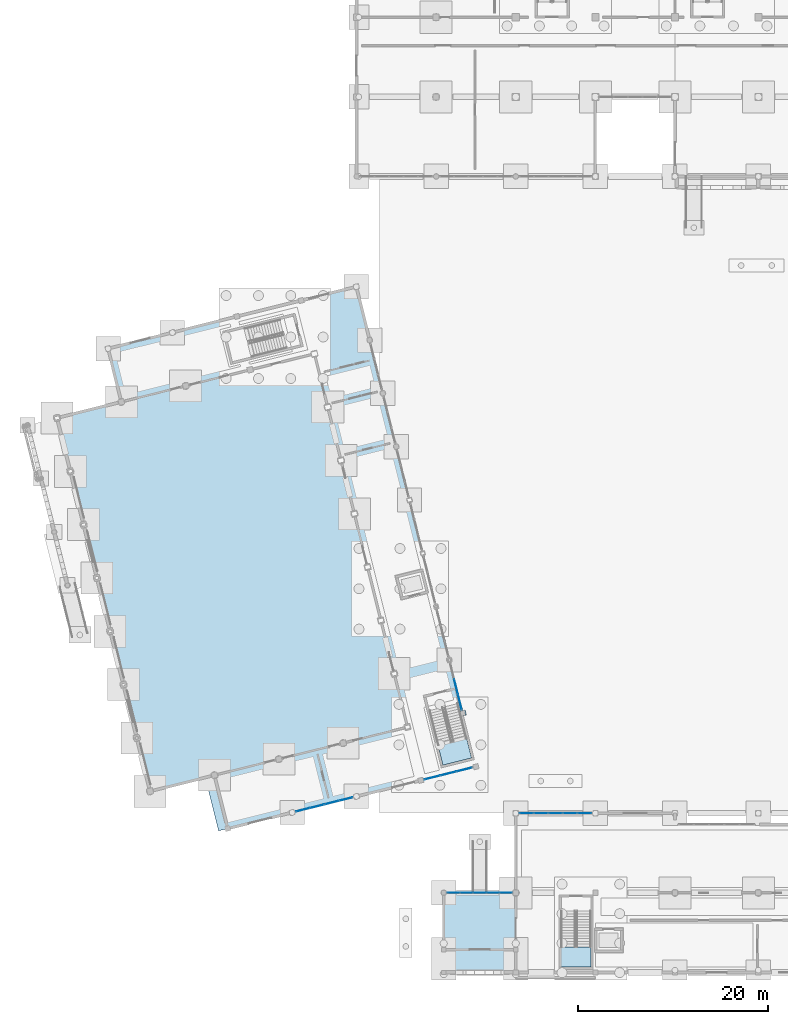
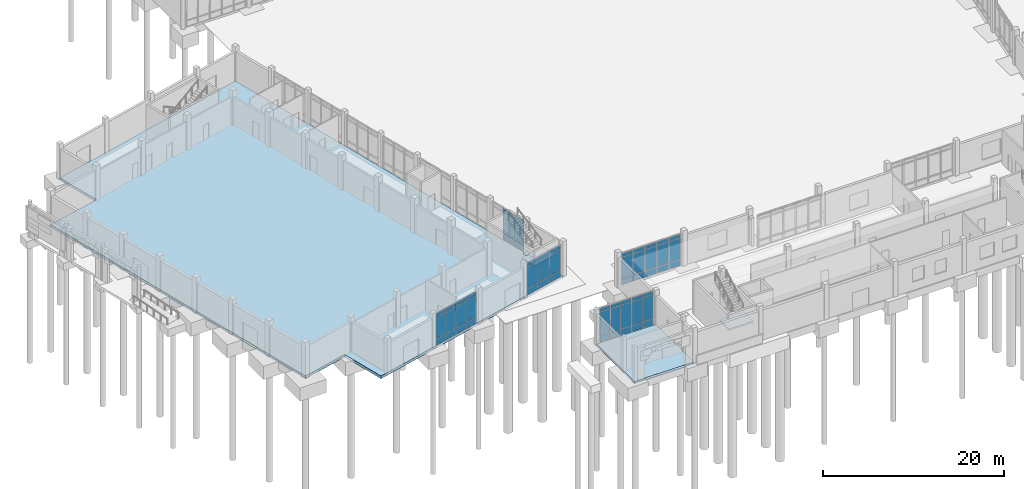
# One storey, part 32 of 72: 58 plates, 4 slabs, 7 elements without a shape of their own.
"""IFC4 building model written with IfcOpenShell, lengths in metres."""

import ifcopenshell
import ifcopenshell.guid

model = None  # the IFC model being written
_history = None  # IfcOwnerHistory: only IFC2X3 demands one
_inside = {}  # id of a spatial element -> (the spatial element, [elements in it])
_under = {}  # id of a project, library or spatial element -> (it, [spatial elements below it])
_declared = {}  # id of a project -> (the project, [libraries it declares])
_typed = {}  # id of a type object -> (the type object, [elements of that type])
_made_of = {}  # id of a material, layer set ... -> (it, [elements and type objects made of it])


def new_model(schema):
    """Start an empty IFC model of exactly this schema.

    Asked for "IFC4X3", IfcOpenShell would pick the latest addendum, in which some entities
    have other attributes; the version numbers below select the first issue.
    IFC2X3 requires an IfcOwnerHistory on every rooted entity: one is made here for all.
    """
    global model, _history
    if schema == "IFC4X3":
        model = ifcopenshell.file(schema_version=(4, 3, 0, 0))
    else:
        model = ifcopenshell.file(schema=schema)
    _inside.clear()
    _under.clear()
    _declared.clear()
    _typed.clear()
    _made_of.clear()
    _history = None
    if model.schema == "IFC2X3":
        org = make("IfcOrganization", Name="unknown")
        user = make(
            "IfcPersonAndOrganization",
            ThePerson=make("IfcPerson", FamilyName="unknown"),
            TheOrganization=org,
        )
        app = make(
            "IfcApplication",
            ApplicationDeveloper=org,
            Version="unknown",
            ApplicationFullName="unknown",
            ApplicationIdentifier="unknown",
        )
        _history = make(
            "IfcOwnerHistory",
            OwningUser=user,
            OwningApplication=app,
            ChangeAction="ADDED",
            CreationDate=0,
        )
    return model


def make(cls, **values):
    """One entity of the class cls with the attributes given. An attribute that is None is left unset."""
    return model.create_entity(
        cls, **{name: value for name, value in values.items() if value is not None}
    )


def rooted(cls, **values):
    """An entity with a GlobalId (a new one), such as an element, a storey or a relation."""
    return make(cls, GlobalId=ifcopenshell.guid.new(), OwnerHistory=_history, **values)


def si_unit(unit_type, name, prefix=None):
    """IfcSIUnit, for example si_unit("LENGTHUNIT", "METRE", prefix="MILLI")."""
    return make("IfcSIUnit", UnitType=unit_type, Prefix=prefix, Name=name)


def assignment(units):
    """IfcUnitAssignment: the units of a project."""
    return None if units is None else make("IfcUnitAssignment", Units=units)


def point(xyz):
    """IfcCartesianPoint."""
    return None if xyz is None else make("IfcCartesianPoint", Coordinates=xyz)


def direction(xyz):
    """IfcDirection."""
    return None if xyz is None else make("IfcDirection", DirectionRatios=xyz)


def frame(location, z_axis=None, x_axis=None):
    """IfcAxis2Placement3D, a coordinate frame: its origin and axes. An axis left out is left unset."""
    return make(
        "IfcAxis2Placement3D",
        Location=point(location),
        Axis=direction(z_axis),
        RefDirection=direction(x_axis),
    )


def frame_2d(location, x_axis=None):
    """IfcAxis2Placement2D, a coordinate frame in the plane: its origin and x axis."""
    return make(
        "IfcAxis2Placement2D", Location=point(location), RefDirection=direction(x_axis)
    )


def origin():
    """The frame at (0, 0, 0) with its axes left unset."""
    return frame((0.0, 0.0, 0.0))


def origin_2d():
    """The frame at (0, 0) in the plane with its x axis left unset."""
    return frame_2d((0.0, 0.0))


def place(relative_to, where):
    """IfcLocalPlacement: puts the frame where relative to a parent placement (None: the world)."""
    return make(
        "IfcLocalPlacement", PlacementRelTo=relative_to, RelativePlacement=where
    )


def context(
    kind, dimensions, precision=None, world=None, true_north=None, identifier=None
):
    """IfcGeometricRepresentationContext, for example the 3D "Model" context."""
    return make(
        "IfcGeometricRepresentationContext",
        ContextIdentifier=identifier,
        ContextType=kind,
        CoordinateSpaceDimension=dimensions,
        Precision=precision,
        WorldCoordinateSystem=world,
        TrueNorth=true_north,
    )


def subcontext(parent, identifier, kind, view, scale=None):
    """IfcGeometricRepresentationSubContext, for example "Body" below "Model"."""
    return make(
        "IfcGeometricRepresentationSubContext",
        ContextIdentifier=identifier,
        ContextType=kind,
        ParentContext=parent,
        TargetScale=scale,
        TargetView=view,
    )


def project(units=None, contexts=None):
    """IfcProject with its units and contexts."""
    return rooted(
        "IfcProject",
        Name="project",
        RepresentationContexts=contexts,
        UnitsInContext=assignment(units),
    )


def spatial(cls, under=None, at=None, **own):
    """A site, building, storey or space (cls), placed at a placement, below another one or the project."""
    s = rooted(cls, ObjectPlacement=at, **own)
    if under is not None:
        _under.setdefault(under.id(), (under, []))[1].append(s)
    return s


def polyline(points):
    """IfcPolyline through the points."""
    return make("IfcPolyline", Points=[point(p) for p in points])


def profile(cls, at=None, kind="AREA", **sizes):
    """A parametric profile (cls). Its sizes go by their IFC names, for example OverallWidth=200.0."""
    return make(cls, ProfileType=kind, Position=at, **sizes)


def rectangle(**sizes):
    """IfcRectangleProfileDef."""
    return profile("IfcRectangleProfileDef", **sizes)


def outline(outer, holes=None, kind="AREA"):
    """IfcArbitraryClosedProfileDef: a profile drawn as a closed curve; with holes, ...WithVoids."""
    if holes is None:
        return make("IfcArbitraryClosedProfileDef", ProfileType=kind, OuterCurve=outer)
    return make(
        "IfcArbitraryProfileDefWithVoids",
        ProfileType=kind,
        OuterCurve=outer,
        InnerCurves=holes,
    )


def extrude(swept, where, along, depth):
    """IfcExtrudedAreaSolid: the profile swept, set in the frame where, extruded along a direction by depth."""
    return make(
        "IfcExtrudedAreaSolid",
        SweptArea=swept,
        Position=where,
        ExtrudedDirection=direction(along),
        Depth=depth,
    )


def shape(context_of_items, identifier, shape_type, items):
    """IfcShapeRepresentation: the items that make up one representation, for example the "Body"."""
    return make(
        "IfcShapeRepresentation",
        ContextOfItems=context_of_items,
        RepresentationIdentifier=identifier,
        RepresentationType=shape_type,
        Items=items,
    )


def material(Name=None, Category=None):
    """IfcMaterial."""
    return make("IfcMaterial", Name=Name, Category=Category)


def layer(
    of_material, thickness, ventilated=None, Name=None, Category=None, Priority=None
):
    """IfcMaterialLayer: one layer of a wall or slab, of a material (None: an air gap)."""
    return make(
        "IfcMaterialLayer",
        Material=of_material,
        LayerThickness=thickness,
        IsVentilated=ventilated,
        Name=Name,
        Category=Category,
        Priority=Priority,
    )


def layer_set(layers, Name=None):
    """IfcMaterialLayerSet."""
    return make("IfcMaterialLayerSet", MaterialLayers=layers, LayerSetName=Name)


def made_of(thing, what):
    """Note that an element or type object is made of a material, layer set ...; save() writes the relation."""
    if what is not None:
        _made_of.setdefault(what.id(), (what, []))[1].append(thing)
    return thing


def type_object(cls, material=None, **own):
    """A type object (cls), such as IfcWallType, which elements share."""
    return made_of(rooted(cls, **own), material)


def element(
    cls,
    number,
    at=None,
    inside=None,
    cuts=None,
    type_object=None,
    material=None,
    context=None,
    identifier="Body",
    shape_type=None,
    held_by="IfcProductDefinitionShape",
    body=None,
    shapes=None,
    **own,
):
    """One element of the class cls, such as IfcWall. Its Tag is "e" and its number.

    at: its placement. inside: the storey or other place that contains it. cuts: it is an
    opening in that element (IfcRelVoidsElement). A single representation is given by context,
    identifier, shape_type and body (its items); several are given by shapes. held_by: the class
    of the entity that holds the representations. save() writes the other relations.
    """
    e = rooted(cls, Tag="e%d" % number, ObjectPlacement=at, **own)
    if body is not None:
        shapes = [shape(context, identifier, shape_type, body)]
    if shapes is not None:
        e.Representation = make(held_by, Representations=shapes)
    if inside is not None:
        _inside.setdefault(inside.id(), (inside, []))[1].append(e)
    if cuts is not None:
        rooted(
            "IfcRelVoidsElement", RelatingBuildingElement=cuts, RelatedOpeningElement=e
        )
    if type_object is not None:
        _typed.setdefault(type_object.id(), (type_object, []))[1].append(e)
    return made_of(e, material)


def aggregate(whole, parts):
    """IfcRelAggregates: a whole, such as a stair, and the parts it consists of."""
    return rooted("IfcRelAggregates", RelatingObject=whole, RelatedObjects=parts)


def save(model, path):
    """Write the relations noted so far, then the file.

    IfcRelAggregates (storeys below a building ...), IfcRelContainedInSpatialStructure (elements
    in a storey), IfcRelDefinesByType, IfcRelAssociatesMaterial and IfcRelDeclares: one each for
    every whole, place, type object, material and project.
    """
    for whole, parts in _under.values():
        aggregate(whole, parts)
    for where, things in _inside.values():
        rooted(
            "IfcRelContainedInSpatialStructure",
            RelatedElements=things,
            RelatingStructure=where,
        )
    for kind, things in _typed.values():
        rooted("IfcRelDefinesByType", RelatedObjects=things, RelatingType=kind)
    for what, things in _made_of.values():
        rooted("IfcRelAssociatesMaterial", RelatedObjects=things, RelatingMaterial=what)
    for by, libraries in _declared.values():
        rooted("IfcRelDeclares", RelatingContext=by, RelatedDefinitions=libraries)
    model.write(path)


model = new_model("IFC4")

# Units and contexts
model_context = context("Model", 3, precision=1e-05, world=origin(), true_north=direction((0.0, 1.0)))
body_context = subcontext(model_context, "Body", "Model", "MODEL_VIEW")
ifc_project = project(units=[si_unit("LENGTHUNIT", "METRE"), si_unit("AREAUNIT", "SQUARE_METRE"), si_unit("VOLUMEUNIT", "CUBIC_METRE"), si_unit("PLANEANGLEUNIT", "RADIAN"), si_unit("MASSUNIT", "GRAM", prefix="KILO")], contexts=[model_context])

# Site, building, storey
site_placement = place(None, origin())
site = spatial("IfcSite", under=ifc_project, at=site_placement, CompositionType="ELEMENT")
building_placement = place(site_placement, origin())
building = spatial("IfcBuilding", under=site, at=building_placement, Name="Cinderway Yard Community Centre", CompositionType="ELEMENT")
storey_placement = place(building_placement, origin())
storey = spatial("IfcBuildingStorey", under=building, at=storey_placement, Name="L00", CompositionType="ELEMENT", Elevation=0.0)

# Curtain wall, plates
ifc_material_1 = material(Name="Aluminium 6063-T6", Category="aluminium")
curtain_wall_type_1 = type_object("IfcCurtainWallType", Name="ENV-CW-TYPE-34", PredefinedType="USERDEFINED", material=ifc_material_1)
curtain_wall_1_placement = place(storey_placement, origin())
curtain_wall_1 = element("IfcCurtainWall", 1, at=curtain_wall_1_placement, inside=storey, type_object=curtain_wall_type_1, Name="West Arcade Courtyard Curtain Wall ENV-CW-L00-ST-0197", ObjectType="GLAZED CURTAIN WALL", PredefinedType="USERDEFINED")
ifc_material_2 = material(Name="Laminated Low-E Glass", Category="glass")
ifc_layer_1 = layer(ifc_material_2, 0.028076171875, Name="Laminated Low-E Glass")
ifc_layer_set_1 = layer_set([ifc_layer_1], Name="Laminated Low-E Glass")
plate_type_1 = type_object("IfcPlateType", Name="ENV-CW-PAN-IGU28", PredefinedType="CURTAIN_PANEL", material=ifc_layer_set_1)
plate_1_placement = place(storey_placement, frame((51.85498046875, 14.39990234375, 0.06005859375), z_axis=(0.0, 0.0, 1.0), x_axis=(1.0, 0.0, 0.0)))
plate_1 = element("IfcPlate", 2, at=plate_1_placement, type_object=plate_type_1, Name="CW-34 panel 1.1", PredefinedType="CURTAIN_PANEL", context=body_context, shape_type="SweptSolid", body=[
    extrude(rectangle(XDim=1.2900390625, YDim=0.028076171875, at=origin_2d()), origin(), (0.0, 0.0, 1.0), 0.81005859375),
])
plate_2_placement = place(storey_placement, frame((51.85498046875, 14.39990234375, 0.929931640625), z_axis=(0.0, 0.0, 1.0), x_axis=(1.0, 0.0, 0.0)))
plate_2 = element("IfcPlate", 3, at=plate_2_placement, type_object=plate_type_1, Name="CW-34 panel 1.2", PredefinedType="CURTAIN_PANEL", context=body_context, shape_type="SweptSolid", body=[
    extrude(rectangle(XDim=1.2900390625, YDim=0.028076171875, at=origin_2d()), origin(), (0.0, 0.0, 1.0), 3.18994140625),
])
plate_3_placement = place(storey_placement, frame((51.85498046875, 14.39990234375, 4.179931640625), z_axis=(0.0, 0.0, 1.0), x_axis=(1.0, 0.0, 0.0)))
plate_3 = element("IfcPlate", 4, at=plate_3_placement, type_object=plate_type_1, Name="CW-34 panel 1.3", PredefinedType="CURTAIN_PANEL", context=body_context, shape_type="SweptSolid", body=[
    extrude(rectangle(XDim=1.2900390625, YDim=0.028076171875, at=origin_2d()), origin(), (0.0, 0.0, 1.0), 0.4599609375),
])
plate_4_placement = place(storey_placement, frame((53.219970703125, 14.39990234375, 0.06005859375), z_axis=(0.0, 0.0, 1.0), x_axis=(1.0, 0.0, 0.0)))
plate_4 = element("IfcPlate", 5, at=plate_4_placement, type_object=plate_type_1, Name="CW-34 panel 2.1", PredefinedType="CURTAIN_PANEL", context=body_context, shape_type="SweptSolid", body=[
    extrude(rectangle(XDim=1.320068359375, YDim=0.028076171875, at=origin_2d()), origin(), (0.0, 0.0, 1.0), 0.81005859375),
])
plate_5_placement = place(storey_placement, frame((53.219970703125, 14.39990234375, 0.929931640625), z_axis=(0.0, 0.0, 1.0), x_axis=(1.0, 0.0, 0.0)))
plate_5 = element("IfcPlate", 6, at=plate_5_placement, type_object=plate_type_1, Name="CW-34 panel 2.2", PredefinedType="CURTAIN_PANEL", context=body_context, shape_type="SweptSolid", body=[
    extrude(rectangle(XDim=1.320068359375, YDim=0.028076171875, at=origin_2d()), origin(), (0.0, 0.0, 1.0), 3.18994140625),
])
plate_6_placement = place(storey_placement, frame((53.219970703125, 14.39990234375, 4.179931640625), z_axis=(0.0, 0.0, 1.0), x_axis=(1.0, 0.0, 0.0)))
plate_6 = element("IfcPlate", 7, at=plate_6_placement, type_object=plate_type_1, Name="CW-34 panel 2.3", PredefinedType="CURTAIN_PANEL", context=body_context, shape_type="SweptSolid", body=[
    extrude(rectangle(XDim=1.320068359375, YDim=0.028076171875, at=origin_2d()), origin(), (0.0, 0.0, 1.0), 0.4599609375),
])
plate_7_placement = place(storey_placement, frame((54.60009765625, 14.39990234375, 0.06005859375), z_axis=(0.0, 0.0, 1.0), x_axis=(1.0, 0.0, 0.0)))
plate_7 = element("IfcPlate", 8, at=plate_7_placement, type_object=plate_type_1, Name="CW-34 panel 3.1", PredefinedType="CURTAIN_PANEL", context=body_context, shape_type="SweptSolid", body=[
    extrude(rectangle(XDim=1.320068359375, YDim=0.028076171875, at=origin_2d()), origin(), (0.0, 0.0, 1.0), 0.81005859375),
])
plate_8_placement = place(storey_placement, frame((54.60009765625, 14.39990234375, 0.929931640625), z_axis=(0.0, 0.0, 1.0), x_axis=(1.0, 0.0, 0.0)))
plate_8 = element("IfcPlate", 9, at=plate_8_placement, type_object=plate_type_1, Name="CW-34 panel 3.2", PredefinedType="CURTAIN_PANEL", context=body_context, shape_type="SweptSolid", body=[
    extrude(rectangle(XDim=1.320068359375, YDim=0.028076171875, at=origin_2d()), origin(), (0.0, 0.0, 1.0), 3.18994140625),
])
plate_9_placement = place(storey_placement, frame((54.60009765625, 14.39990234375, 4.179931640625), z_axis=(0.0, 0.0, 1.0), x_axis=(1.0, 0.0, 0.0)))
plate_9 = element("IfcPlate", 10, at=plate_9_placement, type_object=plate_type_1, Name="CW-34 panel 3.3", PredefinedType="CURTAIN_PANEL", context=body_context, shape_type="SweptSolid", body=[
    extrude(rectangle(XDim=1.320068359375, YDim=0.028076171875, at=origin_2d()), origin(), (0.0, 0.0, 1.0), 0.4599609375),
])
plate_10_placement = place(storey_placement, frame((55.97998046875, 14.39990234375, 0.06005859375), z_axis=(0.0, 0.0, 1.0), x_axis=(1.0, 0.0, 0.0)))
plate_10 = element("IfcPlate", 11, at=plate_10_placement, type_object=plate_type_1, Name="CW-34 panel 4.1", PredefinedType="CURTAIN_PANEL", context=body_context, shape_type="SweptSolid", body=[
    extrude(rectangle(XDim=1.320068359375, YDim=0.028076171875, at=origin_2d()), origin(), (0.0, 0.0, 1.0), 0.81005859375),
])
plate_11_placement = place(storey_placement, frame((55.97998046875, 14.39990234375, 0.929931640625), z_axis=(0.0, 0.0, 1.0), x_axis=(1.0, 0.0, 0.0)))
plate_11 = element("IfcPlate", 12, at=plate_11_placement, type_object=plate_type_1, Name="CW-34 panel 4.2", PredefinedType="CURTAIN_PANEL", context=body_context, shape_type="SweptSolid", body=[
    extrude(rectangle(XDim=1.320068359375, YDim=0.028076171875, at=origin_2d()), origin(), (0.0, 0.0, 1.0), 3.18994140625),
])
plate_12_placement = place(storey_placement, frame((55.97998046875, 14.39990234375, 4.179931640625), z_axis=(0.0, 0.0, 1.0), x_axis=(1.0, 0.0, 0.0)))
plate_12 = element("IfcPlate", 13, at=plate_12_placement, type_object=plate_type_1, Name="CW-34 panel 4.3", PredefinedType="CURTAIN_PANEL", context=body_context, shape_type="SweptSolid", body=[
    extrude(rectangle(XDim=1.320068359375, YDim=0.028076171875, at=origin_2d()), origin(), (0.0, 0.0, 1.0), 0.4599609375),
])
plate_13_placement = place(storey_placement, frame((57.344970703125, 14.39990234375, 0.06005859375), z_axis=(0.0, 0.0, 1.0), x_axis=(1.0, 0.0, 0.0)))
plate_13 = element("IfcPlate", 14, at=plate_13_placement, type_object=plate_type_1, Name="CW-34 panel 5.1", PredefinedType="CURTAIN_PANEL", context=body_context, shape_type="SweptSolid", body=[
    extrude(rectangle(XDim=1.2900390625, YDim=0.028076171875, at=origin_2d()), origin(), (0.0, 0.0, 1.0), 0.81005859375),
])
plate_14_placement = place(storey_placement, frame((57.344970703125, 14.39990234375, 0.929931640625), z_axis=(0.0, 0.0, 1.0), x_axis=(1.0, 0.0, 0.0)))
plate_14 = element("IfcPlate", 15, at=plate_14_placement, type_object=plate_type_1, Name="CW-34 panel 5.2", PredefinedType="CURTAIN_PANEL", context=body_context, shape_type="SweptSolid", body=[
    extrude(rectangle(XDim=1.2900390625, YDim=0.028076171875, at=origin_2d()), origin(), (0.0, 0.0, 1.0), 3.18994140625),
])
plate_15_placement = place(storey_placement, frame((57.344970703125, 14.39990234375, 4.179931640625), z_axis=(0.0, 0.0, 1.0), x_axis=(1.0, 0.0, 0.0)))
plate_15 = element("IfcPlate", 16, at=plate_15_placement, type_object=plate_type_1, Name="CW-34 panel 5.3", PredefinedType="CURTAIN_PANEL", context=body_context, shape_type="SweptSolid", body=[
    extrude(rectangle(XDim=1.2900390625, YDim=0.028076171875, at=origin_2d()), origin(), (0.0, 0.0, 1.0), 0.4599609375),
])
aggregate(curtain_wall_1, [plate_1, plate_2, plate_3, plate_4, plate_5, plate_6, plate_7, plate_8, plate_9, plate_10, plate_11, plate_12, plate_13, plate_14, plate_15])

curtain_wall_type_2 = type_object("IfcCurtainWallType", Name="ENV-CW-TYPE-01", PredefinedType="USERDEFINED", material=ifc_material_1)
curtain_wall_2_placement = place(storey_placement, origin())
curtain_wall_2 = element("IfcCurtainWall", 17, at=curtain_wall_2_placement, inside=storey, type_object=curtain_wall_type_2, Name="Main Hall Courtyard Curtain Wall ENV-CW-L00-HS-0001", ObjectType="GLAZED CURTAIN WALL", PredefinedType="USERDEFINED")
ifc_layer_2 = layer(ifc_material_2, 0.031982421875, Name="Laminated Low-E Glass")
ifc_layer_set_2 = layer_set([ifc_layer_2], Name="Laminated Low-E Glass")
plate_type_2 = type_object("IfcPlateType", Name="ENV-CW-PAN-IGU32", PredefinedType="CURTAIN_PANEL", material=ifc_layer_set_2)
plate_16_placement = place(storey_placement, frame((52.50341796875, 34.527099609375, 0.06005859375), z_axis=(0.0, 0.0, 1.0), x_axis=(-0.241887234827, 0.97030436752, 0.0)))
plate_16 = element("IfcPlate", 18, at=plate_16_placement, type_object=plate_type_2, Name="CW-01 panel 1.1", PredefinedType="CURTAIN_PANEL", context=body_context, shape_type="SweptSolid", body=[
    extrude(rectangle(XDim=1.603515625, YDim=0.028076171875, at=origin_2d()), origin(), (0.0, 0.0, 1.0), 0.81005859375),
])
plate_17_placement = place(storey_placement, frame((52.50341796875, 34.527099609375, 0.93017578125), z_axis=(0.0, 0.0, 1.0), x_axis=(-0.241887234827, 0.97030436752, 0.0)))
plate_17 = element("IfcPlate", 19, at=plate_17_placement, type_object=plate_type_2, Name="CW-01 panel 1.2", PredefinedType="CURTAIN_PANEL", context=body_context, shape_type="SweptSolid", body=[
    extrude(rectangle(XDim=1.603515625, YDim=0.028076171875, at=origin_2d()), origin(), (0.0, 0.0, 1.0), 2.840087890625),
])
plate_18_placement = place(storey_placement, frame((52.50341796875, 34.527099609375, 3.830078125), z_axis=(0.0, 0.0, 1.0), x_axis=(-0.241887234827, 0.97030436752, 0.0)))
plate_18 = element("IfcPlate", 20, at=plate_18_placement, type_object=plate_type_2, Name="CW-01 panel 1.3", PredefinedType="CURTAIN_PANEL", context=body_context, shape_type="SweptSolid", body=[
    extrude(rectangle(XDim=1.603515625, YDim=0.028076171875, at=origin_2d()), origin(), (0.0, 0.0, 1.0), 0.4599609375),
])
plate_19_placement = place(storey_placement, frame((52.097412109375, 36.156005859375, 0.06005859375), z_axis=(0.0, 0.0, 1.0), x_axis=(-0.241887234827, 0.97030436752, 0.0)))
plate_19 = element("IfcPlate", 21, at=plate_19_placement, type_object=plate_type_2, Name="CW-01 panel 2.1", PredefinedType="CURTAIN_PANEL", context=body_context, shape_type="SweptSolid", body=[
    extrude(rectangle(XDim=1.633544921875, YDim=0.028076171875, at=origin_2d()), origin(), (0.0, 0.0, 1.0), 0.81005859375),
])
plate_20_placement = place(storey_placement, frame((52.097412109375, 36.156005859375, 0.93017578125), z_axis=(0.0, 0.0, 1.0), x_axis=(-0.241887234827, 0.97030436752, 0.0)))
plate_20 = element("IfcPlate", 22, at=plate_20_placement, type_object=plate_type_2, Name="CW-01 panel 2.2", PredefinedType="CURTAIN_PANEL", context=body_context, shape_type="SweptSolid", body=[
    extrude(rectangle(XDim=1.633544921875, YDim=0.028076171875, at=origin_2d()), origin(), (0.0, 0.0, 1.0), 2.840087890625),
])
plate_21_placement = place(storey_placement, frame((52.097412109375, 36.156005859375, 3.830078125), z_axis=(0.0, 0.0, 1.0), x_axis=(-0.241887234827, 0.97030436752, 0.0)))
plate_21 = element("IfcPlate", 23, at=plate_21_placement, type_object=plate_type_2, Name="CW-01 panel 2.3", PredefinedType="CURTAIN_PANEL", context=body_context, shape_type="SweptSolid", body=[
    extrude(rectangle(XDim=1.633544921875, YDim=0.028076171875, at=origin_2d()), origin(), (0.0, 0.0, 1.0), 0.4599609375),
])
aggregate(curtain_wall_2, [plate_16, plate_17, plate_18, plate_19, plate_20, plate_21])

curtain_wall_type_3 = type_object("IfcCurtainWallType", Name="ENV-CW-TYPE-02", PredefinedType="USERDEFINED", material=ifc_material_1)
curtain_wall_3_placement = place(storey_placement, origin())
curtain_wall_3 = element("IfcCurtainWall", 24, at=curtain_wall_3_placement, inside=storey, type_object=curtain_wall_type_3, Name="Sanctuary South Curtain Wall ENV-CW-L00-HS-0008", ObjectType="GLAZED CURTAIN WALL", PredefinedType="USERDEFINED")
plate_22_placement = place(storey_placement, frame((35.937255859375, 23.16015625, 0.06005859375), z_axis=(0.0, 0.0, 1.0), x_axis=(0.970311966845, 0.241856748919, 0.0)))
plate_22 = element("IfcPlate", 25, at=plate_22_placement, type_object=plate_type_2, Name="CW-02 panel 1.1", PredefinedType="CURTAIN_PANEL", context=body_context, shape_type="SweptSolid", body=[
    extrude(rectangle(XDim=1.4697265625, YDim=0.028076171875, at=origin_2d()), origin(), (0.0, 0.0, 1.0), 0.81005859375),
])
plate_23_placement = place(storey_placement, frame((35.937255859375, 23.16015625, 0.93017578125), z_axis=(0.0, 0.0, 1.0), x_axis=(0.970311966845, 0.241856748919, 0.0)))
plate_23 = element("IfcPlate", 26, at=plate_23_placement, type_object=plate_type_2, Name="CW-02 panel 1.2", PredefinedType="CURTAIN_PANEL", context=body_context, shape_type="SweptSolid", body=[
    extrude(rectangle(XDim=1.4697265625, YDim=0.028076171875, at=origin_2d()), origin(), (0.0, 0.0, 1.0), 2.840087890625),
])
plate_24_placement = place(storey_placement, frame((35.937255859375, 23.16015625, 3.830078125), z_axis=(0.0, 0.0, 1.0), x_axis=(0.970311966845, 0.241856748919, 0.0)))
plate_24 = element("IfcPlate", 27, at=plate_24_placement, type_object=plate_type_2, Name="CW-02 panel 1.3", PredefinedType="CURTAIN_PANEL", context=body_context, shape_type="SweptSolid", body=[
    extrude(rectangle(XDim=1.4697265625, YDim=0.028076171875, at=origin_2d()), origin(), (0.0, 0.0, 1.0), 0.4599609375),
])
plate_25_placement = place(storey_placement, frame((37.436279296875, 23.533935546875, 0.06005859375), z_axis=(0.0, 0.0, 1.0), x_axis=(0.970311966845, 0.241856748919, 0.0)))
plate_25 = element("IfcPlate", 28, at=plate_25_placement, type_object=plate_type_2, Name="CW-02 panel 2.1", PredefinedType="CURTAIN_PANEL", context=body_context, shape_type="SweptSolid", body=[
    extrude(rectangle(XDim=1.499755859375, YDim=0.028076171875, at=origin_2d()), origin(), (0.0, 0.0, 1.0), 0.81005859375),
])
plate_26_placement = place(storey_placement, frame((37.436279296875, 23.533935546875, 0.93017578125), z_axis=(0.0, 0.0, 1.0), x_axis=(0.970311966845, 0.241856748919, 0.0)))
plate_26 = element("IfcPlate", 29, at=plate_26_placement, type_object=plate_type_2, Name="CW-02 panel 2.2", PredefinedType="CURTAIN_PANEL", context=body_context, shape_type="SweptSolid", body=[
    extrude(rectangle(XDim=1.499755859375, YDim=0.028076171875, at=origin_2d()), origin(), (0.0, 0.0, 1.0), 2.840087890625),
])
plate_27_placement = place(storey_placement, frame((37.436279296875, 23.533935546875, 3.830078125), z_axis=(0.0, 0.0, 1.0), x_axis=(0.970311966845, 0.241856748919, 0.0)))
plate_27 = element("IfcPlate", 30, at=plate_27_placement, type_object=plate_type_2, Name="CW-02 panel 2.3", PredefinedType="CURTAIN_PANEL", context=body_context, shape_type="SweptSolid", body=[
    extrude(rectangle(XDim=1.499755859375, YDim=0.028076171875, at=origin_2d()), origin(), (0.0, 0.0, 1.0), 0.4599609375),
])
plate_28_placement = place(storey_placement, frame((38.94970703125, 23.9111328125, 0.06005859375), z_axis=(0.0, 0.0, 1.0), x_axis=(0.970311966845, 0.241856748919, 0.0)))
plate_28 = element("IfcPlate", 31, at=plate_28_placement, type_object=plate_type_2, Name="CW-02 panel 3.1", PredefinedType="CURTAIN_PANEL", context=body_context, shape_type="SweptSolid", body=[
    extrude(rectangle(XDim=1.499755859375, YDim=0.028076171875, at=origin_2d()), origin(), (0.0, 0.0, 1.0), 0.81005859375),
])
plate_29_placement = place(storey_placement, frame((38.94970703125, 23.9111328125, 0.93017578125), z_axis=(0.0, 0.0, 1.0), x_axis=(0.970311966845, 0.241856748919, 0.0)))
plate_29 = element("IfcPlate", 32, at=plate_29_placement, type_object=plate_type_2, Name="CW-02 panel 3.2", PredefinedType="CURTAIN_PANEL", context=body_context, shape_type="SweptSolid", body=[
    extrude(rectangle(XDim=1.499755859375, YDim=0.028076171875, at=origin_2d()), origin(), (0.0, 0.0, 1.0), 2.840087890625),
])
plate_30_placement = place(storey_placement, frame((38.94970703125, 23.9111328125, 3.830078125), z_axis=(0.0, 0.0, 1.0), x_axis=(0.970311966845, 0.241856748919, 0.0)))
plate_30 = element("IfcPlate", 33, at=plate_30_placement, type_object=plate_type_2, Name="CW-02 panel 3.3", PredefinedType="CURTAIN_PANEL", context=body_context, shape_type="SweptSolid", body=[
    extrude(rectangle(XDim=1.499755859375, YDim=0.028076171875, at=origin_2d()), origin(), (0.0, 0.0, 1.0), 0.4599609375),
])
plate_31_placement = place(storey_placement, frame((40.44873046875, 24.28466796875, 0.06005859375), z_axis=(0.0, 0.0, 1.0), x_axis=(0.970311966845, 0.241856748919, 0.0)))
plate_31 = element("IfcPlate", 34, at=plate_31_placement, type_object=plate_type_2, Name="CW-02 panel 4.1", PredefinedType="CURTAIN_PANEL", context=body_context, shape_type="SweptSolid", body=[
    extrude(rectangle(XDim=1.4697265625, YDim=0.028076171875, at=origin_2d()), origin(), (0.0, 0.0, 1.0), 0.81005859375),
])
plate_32_placement = place(storey_placement, frame((40.44873046875, 24.28466796875, 0.93017578125), z_axis=(0.0, 0.0, 1.0), x_axis=(0.970311966845, 0.241856748919, 0.0)))
plate_32 = element("IfcPlate", 35, at=plate_32_placement, type_object=plate_type_2, Name="CW-02 panel 4.2", PredefinedType="CURTAIN_PANEL", context=body_context, shape_type="SweptSolid", body=[
    extrude(rectangle(XDim=1.4697265625, YDim=0.028076171875, at=origin_2d()), origin(), (0.0, 0.0, 1.0), 2.840087890625),
])
plate_33_placement = place(storey_placement, frame((40.44873046875, 24.28466796875, 3.830078125), z_axis=(0.0, 0.0, 1.0), x_axis=(0.970311966845, 0.241856748919, 0.0)))
plate_33 = element("IfcPlate", 36, at=plate_33_placement, type_object=plate_type_2, Name="CW-02 panel 4.3", PredefinedType="CURTAIN_PANEL", context=body_context, shape_type="SweptSolid", body=[
    extrude(rectangle(XDim=1.4697265625, YDim=0.028076171875, at=origin_2d()), origin(), (0.0, 0.0, 1.0), 0.4599609375),
])
aggregate(curtain_wall_3, [plate_22, plate_23, plate_24, plate_25, plate_26, plate_27, plate_28, plate_29, plate_30, plate_31, plate_32, plate_33])

curtain_wall_type_4 = type_object("IfcCurtainWallType", Name="ENV-CW-TYPE-03", PredefinedType="USERDEFINED", material=ifc_material_1)
curtain_wall_4_placement = place(storey_placement, origin())
curtain_wall_4 = element("IfcCurtainWall", 37, at=curtain_wall_4_placement, inside=storey, type_object=curtain_wall_type_4, Name="Sanctuary South Curtain Wall ENV-CW-L00-HS-0009", ObjectType="GLAZED CURTAIN WALL", PredefinedType="USERDEFINED")
plate_34_placement = place(storey_placement, frame((49.61181640625, 26.56982421875, 0.06005859375), z_axis=(0.0, 0.0, 1.0), x_axis=(0.970321865084, 0.241817034428, 0.0)))
plate_34 = element("IfcPlate", 38, at=plate_34_placement, type_object=plate_type_2, Name="CW-03 panel 1.1", PredefinedType="CURTAIN_PANEL", context=body_context, shape_type="SweptSolid", body=[
    extrude(rectangle(XDim=1.656494140625, YDim=0.028076171875, at=origin_2d()), origin(), (0.0, 0.0, 1.0), 0.81005859375),
])
plate_35_placement = place(storey_placement, frame((49.61181640625, 26.56982421875, 0.93017578125), z_axis=(0.0, 0.0, 1.0), x_axis=(0.970321865084, 0.241817034428, 0.0)))
plate_35 = element("IfcPlate", 39, at=plate_35_placement, type_object=plate_type_2, Name="CW-03 panel 1.2", PredefinedType="CURTAIN_PANEL", context=body_context, shape_type="SweptSolid", body=[
    extrude(rectangle(XDim=1.656494140625, YDim=0.028076171875, at=origin_2d()), origin(), (0.0, 0.0, 1.0), 2.840087890625),
])
plate_36_placement = place(storey_placement, frame((49.61181640625, 26.56982421875, 3.830078125), z_axis=(0.0, 0.0, 1.0), x_axis=(0.970321865084, 0.241817034428, 0.0)))
plate_36 = element("IfcPlate", 40, at=plate_36_placement, type_object=plate_type_2, Name="CW-03 panel 1.3", PredefinedType="CURTAIN_PANEL", context=body_context, shape_type="SweptSolid", body=[
    extrude(rectangle(XDim=1.656494140625, YDim=0.028076171875, at=origin_2d()), origin(), (0.0, 0.0, 1.0), 0.4599609375),
])
plate_37_placement = place(storey_placement, frame((51.2919921875, 26.988525390625, 0.06005859375), z_axis=(0.0, 0.0, 1.0), x_axis=(0.970321865084, 0.241817034428, 0.0)))
plate_37 = element("IfcPlate", 41, at=plate_37_placement, type_object=plate_type_2, Name="CW-03 panel 2.1", PredefinedType="CURTAIN_PANEL", context=body_context, shape_type="SweptSolid", body=[
    extrude(rectangle(XDim=1.6865234375, YDim=0.028076171875, at=origin_2d()), origin(), (0.0, 0.0, 1.0), 0.81005859375),
])
plate_38_placement = place(storey_placement, frame((51.2919921875, 26.988525390625, 0.93017578125), z_axis=(0.0, 0.0, 1.0), x_axis=(0.970321865084, 0.241817034428, 0.0)))
plate_38 = element("IfcPlate", 42, at=plate_38_placement, type_object=plate_type_2, Name="CW-03 panel 2.2", PredefinedType="CURTAIN_PANEL", context=body_context, shape_type="SweptSolid", body=[
    extrude(rectangle(XDim=1.6865234375, YDim=0.028076171875, at=origin_2d()), origin(), (0.0, 0.0, 1.0), 2.840087890625),
])
plate_39_placement = place(storey_placement, frame((51.2919921875, 26.988525390625, 3.830078125), z_axis=(0.0, 0.0, 1.0), x_axis=(0.970321865084, 0.241817034428, 0.0)))
plate_39 = element("IfcPlate", 43, at=plate_39_placement, type_object=plate_type_2, Name="CW-03 panel 2.3", PredefinedType="CURTAIN_PANEL", context=body_context, shape_type="SweptSolid", body=[
    extrude(rectangle(XDim=1.6865234375, YDim=0.028076171875, at=origin_2d()), origin(), (0.0, 0.0, 1.0), 0.4599609375),
])
plate_40_placement = place(storey_placement, frame((52.97216796875, 27.4072265625, 0.06005859375), z_axis=(0.0, 0.0, 1.0), x_axis=(0.970321865084, 0.241817034428, 0.0)))
plate_40 = element("IfcPlate", 44, at=plate_40_placement, type_object=plate_type_2, Name="CW-03 panel 3.1", PredefinedType="CURTAIN_PANEL", context=body_context, shape_type="SweptSolid", body=[
    extrude(rectangle(XDim=1.656494140625, YDim=0.028076171875, at=origin_2d()), origin(), (0.0, 0.0, 1.0), 0.81005859375),
])
plate_41_placement = place(storey_placement, frame((52.97216796875, 27.4072265625, 0.93017578125), z_axis=(0.0, 0.0, 1.0), x_axis=(0.970321865084, 0.241817034428, 0.0)))
plate_41 = element("IfcPlate", 45, at=plate_41_placement, type_object=plate_type_2, Name="CW-03 panel 3.2", PredefinedType="CURTAIN_PANEL", context=body_context, shape_type="SweptSolid", body=[
    extrude(rectangle(XDim=1.656494140625, YDim=0.028076171875, at=origin_2d()), origin(), (0.0, 0.0, 1.0), 2.840087890625),
])
plate_42_placement = place(storey_placement, frame((52.97216796875, 27.4072265625, 3.830078125), z_axis=(0.0, 0.0, 1.0), x_axis=(0.970321865084, 0.241817034428, 0.0)))
plate_42 = element("IfcPlate", 46, at=plate_42_placement, type_object=plate_type_2, Name="CW-03 panel 3.3", PredefinedType="CURTAIN_PANEL", context=body_context, shape_type="SweptSolid", body=[
    extrude(rectangle(XDim=1.656494140625, YDim=0.028076171875, at=origin_2d()), origin(), (0.0, 0.0, 1.0), 0.4599609375),
])
aggregate(curtain_wall_4, [plate_34, plate_35, plate_36, plate_37, plate_38, plate_39, plate_40, plate_41, plate_42])

curtain_wall_type_5 = type_object("IfcCurtainWallType", Name="ENV-CW-TYPE-24", PredefinedType="USERDEFINED", material=ifc_material_1)
curtain_wall_5_placement = place(storey_placement, origin())
curtain_wall_5 = element("IfcCurtainWall", 47, at=curtain_wall_5_placement, inside=storey, type_object=curtain_wall_type_5, Name="Dining Courtyard Curtain Wall ENV-CW-L00-HS-0090", ObjectType="GLAZED CURTAIN WALL", PredefinedType="USERDEFINED")
plate_43_placement = place(storey_placement, frame((59.55908203125, 22.800048828125, 0.06005859375), z_axis=(0.0, 0.0, 1.0), x_axis=(1.0, 0.0, 0.0)))
plate_43 = element("IfcPlate", 48, at=plate_43_placement, type_object=plate_type_2, Name="CW-24 panel 1.1", PredefinedType="CURTAIN_PANEL", context=body_context, shape_type="SweptSolid", body=[
    extrude(rectangle(XDim=1.43798828125, YDim=0.028076171875, at=origin_2d()), origin(), (0.0, 0.0, 1.0), 0.81005859375),
])
plate_44_placement = place(storey_placement, frame((59.55908203125, 22.800048828125, 0.93017578125), z_axis=(0.0, 0.0, 1.0), x_axis=(1.0, 0.0, 0.0)))
plate_44 = element("IfcPlate", 49, at=plate_44_placement, type_object=plate_type_2, Name="CW-24 panel 1.2", PredefinedType="CURTAIN_PANEL", context=body_context, shape_type="SweptSolid", body=[
    extrude(rectangle(XDim=1.43798828125, YDim=0.028076171875, at=origin_2d()), origin(), (0.0, 0.0, 1.0), 2.840087890625),
])
plate_45_placement = place(storey_placement, frame((59.55908203125, 22.800048828125, 3.830078125), z_axis=(0.0, 0.0, 1.0), x_axis=(1.0, 0.0, 0.0)))
plate_45 = element("IfcPlate", 50, at=plate_45_placement, type_object=plate_type_2, Name="CW-24 panel 1.3", PredefinedType="CURTAIN_PANEL", context=body_context, shape_type="SweptSolid", body=[
    extrude(rectangle(XDim=1.43798828125, YDim=0.028076171875, at=origin_2d()), origin(), (0.0, 0.0, 1.0), 0.4599609375),
])
plate_46_placement = place(storey_placement, frame((61.072021484375, 22.800048828125, 0.06005859375), z_axis=(0.0, 0.0, 1.0), x_axis=(1.0, 0.0, 0.0)))
plate_46 = element("IfcPlate", 51, at=plate_46_placement, type_object=plate_type_2, Name="CW-24 panel 2.1", PredefinedType="CURTAIN_PANEL", context=body_context, shape_type="SweptSolid", body=[
    extrude(rectangle(XDim=1.468017578125, YDim=0.028076171875, at=origin_2d()), origin(), (0.0, 0.0, 1.0), 0.81005859375),
])
plate_47_placement = place(storey_placement, frame((61.072021484375, 22.800048828125, 0.93017578125), z_axis=(0.0, 0.0, 1.0), x_axis=(1.0, 0.0, 0.0)))
plate_47 = element("IfcPlate", 52, at=plate_47_placement, type_object=plate_type_2, Name="CW-24 panel 2.2", PredefinedType="CURTAIN_PANEL", context=body_context, shape_type="SweptSolid", body=[
    extrude(rectangle(XDim=1.468017578125, YDim=0.028076171875, at=origin_2d()), origin(), (0.0, 0.0, 1.0), 2.840087890625),
])
plate_48_placement = place(storey_placement, frame((61.072021484375, 22.800048828125, 3.830078125), z_axis=(0.0, 0.0, 1.0), x_axis=(1.0, 0.0, 0.0)))
plate_48 = element("IfcPlate", 53, at=plate_48_placement, type_object=plate_type_2, Name="CW-24 panel 2.3", PredefinedType="CURTAIN_PANEL", context=body_context, shape_type="SweptSolid", body=[
    extrude(rectangle(XDim=1.468017578125, YDim=0.028076171875, at=origin_2d()), origin(), (0.0, 0.0, 1.0), 0.4599609375),
])
plate_49_placement = place(storey_placement, frame((62.60009765625, 22.800048828125, 0.06005859375), z_axis=(0.0, 0.0, 1.0), x_axis=(1.0, 0.0, 0.0)))
plate_49 = element("IfcPlate", 54, at=plate_49_placement, type_object=plate_type_2, Name="CW-24 panel 3.1", PredefinedType="CURTAIN_PANEL", context=body_context, shape_type="SweptSolid", body=[
    extrude(rectangle(XDim=1.468017578125, YDim=0.028076171875, at=origin_2d()), origin(), (0.0, 0.0, 1.0), 0.81005859375),
])
plate_50_placement = place(storey_placement, frame((62.60009765625, 22.800048828125, 0.93017578125), z_axis=(0.0, 0.0, 1.0), x_axis=(1.0, 0.0, 0.0)))
plate_50 = element("IfcPlate", 55, at=plate_50_placement, type_object=plate_type_2, Name="CW-24 panel 3.2", PredefinedType="CURTAIN_PANEL", context=body_context, shape_type="SweptSolid", body=[
    extrude(rectangle(XDim=1.468017578125, YDim=0.028076171875, at=origin_2d()), origin(), (0.0, 0.0, 1.0), 2.840087890625),
])
plate_51_placement = place(storey_placement, frame((62.60009765625, 22.800048828125, 3.830078125), z_axis=(0.0, 0.0, 1.0), x_axis=(1.0, 0.0, 0.0)))
plate_51 = element("IfcPlate", 56, at=plate_51_placement, type_object=plate_type_2, Name="CW-24 panel 3.3", PredefinedType="CURTAIN_PANEL", context=body_context, shape_type="SweptSolid", body=[
    extrude(rectangle(XDim=1.468017578125, YDim=0.028076171875, at=origin_2d()), origin(), (0.0, 0.0, 1.0), 0.4599609375),
])
plate_52_placement = place(storey_placement, frame((64.1279296875, 22.800048828125, 0.06005859375), z_axis=(0.0, 0.0, 1.0), x_axis=(1.0, 0.0, 0.0)))
plate_52 = element("IfcPlate", 57, at=plate_52_placement, type_object=plate_type_2, Name="CW-24 panel 4.1", PredefinedType="CURTAIN_PANEL", context=body_context, shape_type="SweptSolid", body=[
    extrude(rectangle(XDim=1.468017578125, YDim=0.028076171875, at=origin_2d()), origin(), (0.0, 0.0, 1.0), 0.81005859375),
])
plate_53_placement = place(storey_placement, frame((64.1279296875, 22.800048828125, 0.93017578125), z_axis=(0.0, 0.0, 1.0), x_axis=(1.0, 0.0, 0.0)))
plate_53 = element("IfcPlate", 58, at=plate_53_placement, type_object=plate_type_2, Name="CW-24 panel 4.2", PredefinedType="CURTAIN_PANEL", context=body_context, shape_type="SweptSolid", body=[
    extrude(rectangle(XDim=1.468017578125, YDim=0.028076171875, at=origin_2d()), origin(), (0.0, 0.0, 1.0), 2.840087890625),
])
plate_54_placement = place(storey_placement, frame((64.1279296875, 22.800048828125, 3.830078125), z_axis=(0.0, 0.0, 1.0), x_axis=(1.0, 0.0, 0.0)))
plate_54 = element("IfcPlate", 59, at=plate_54_placement, type_object=plate_type_2, Name="CW-24 panel 4.3", PredefinedType="CURTAIN_PANEL", context=body_context, shape_type="SweptSolid", body=[
    extrude(rectangle(XDim=1.468017578125, YDim=0.028076171875, at=origin_2d()), origin(), (0.0, 0.0, 1.0), 0.4599609375),
])
plate_55_placement = place(storey_placement, frame((65.64111328125, 22.800048828125, 0.06005859375), z_axis=(0.0, 0.0, 1.0), x_axis=(1.0, 0.0, 0.0)))
plate_55 = element("IfcPlate", 60, at=plate_55_placement, type_object=plate_type_2, Name="CW-24 panel 5.1", PredefinedType="CURTAIN_PANEL", context=body_context, shape_type="SweptSolid", body=[
    extrude(rectangle(XDim=1.43798828125, YDim=0.028076171875, at=origin_2d()), origin(), (0.0, 0.0, 1.0), 0.81005859375),
])
plate_56_placement = place(storey_placement, frame((65.64111328125, 22.800048828125, 0.93017578125), z_axis=(0.0, 0.0, 1.0), x_axis=(1.0, 0.0, 0.0)))
plate_56 = element("IfcPlate", 61, at=plate_56_placement, type_object=plate_type_2, Name="CW-24 panel 5.2", PredefinedType="CURTAIN_PANEL", context=body_context, shape_type="SweptSolid", body=[
    extrude(rectangle(XDim=1.43798828125, YDim=0.028076171875, at=origin_2d()), origin(), (0.0, 0.0, 1.0), 2.840087890625),
])
plate_57_placement = place(storey_placement, frame((65.64111328125, 22.800048828125, 3.830078125), z_axis=(0.0, 0.0, 1.0), x_axis=(1.0, 0.0, 0.0)))
plate_57 = element("IfcPlate", 62, at=plate_57_placement, type_object=plate_type_2, Name="CW-24 panel 5.3", PredefinedType="CURTAIN_PANEL", context=body_context, shape_type="SweptSolid", body=[
    extrude(rectangle(XDim=1.43798828125, YDim=0.028076171875, at=origin_2d()), origin(), (0.0, 0.0, 1.0), 0.4599609375),
])
aggregate(curtain_wall_5, [plate_43, plate_44, plate_45, plate_46, plate_47, plate_48, plate_49, plate_50, plate_51, plate_52, plate_53, plate_54, plate_55, plate_56, plate_57])

# Stair, slab
ifc_material_3 = material(Name="Concrete C40/50", Category="concrete")
stair_type = type_object("IfcStairType", Name="INT-STR-480A", PredefinedType="HALF_TURN_STAIR", material=ifc_material_3)
stair_1_placement = place(storey_placement, origin())
stair_1 = element("IfcStair", 63, at=stair_1_placement, inside=storey, type_object=stair_type, Name="L00 Core C3A Exit Stair ST-05", PredefinedType="HALF_TURN_STAIR")
ifc_layer_3 = layer(ifc_material_3, 0.199951171875, Name="Concrete C40/50")
ifc_layer_set_3 = layer_set([ifc_layer_3], Name="Concrete C40/50")
slab_type_1 = type_object("IfcSlabType", Name="INT-SLB-LND200", PredefinedType="LANDING", material=ifc_layer_set_3)
slab_1_placement = place(storey_placement, frame((0.0, 0.0, 2.199951171875)))
slab_1 = element("IfcSlab", 64, at=slab_1_placement, type_object=slab_type_1, Name="ST-05 landing 1", PredefinedType="LANDING", context=body_context, shape_type="SweptSolid", body=[
    extrude(outline(polyline([(50.190185546875, 29.9609375), (50.710205078125, 27.874755859375), (53.737548828125, 28.629638671875), (53.217529296875, 30.7158203125), (50.190185546875, 29.9609375)])), origin(), (0.0, 0.0, 1.0), 0.199951171875),
])
aggregate(stair_1, [slab_1])

stair_2_placement = place(storey_placement, origin())
stair_2 = element("IfcStair", 65, at=stair_2_placement, inside=storey, type_object=stair_type, Name="L00 Core C5A Exit Stair ST-09", PredefinedType="HALF_TURN_STAIR")
slab_2_placement = place(storey_placement, frame((0.0, 0.0, 2.199951171875)))
slab_2 = element("IfcSlab", 66, at=slab_2_placement, type_object=slab_type_1, Name="ST-09 landing 1", PredefinedType="LANDING", context=body_context, shape_type="SweptSolid", body=[
    extrude(outline(polyline([(63.199951171875, 8.699951171875), (63.199951171875, 6.550048828125), (66.320068359375, 6.550048828125), (66.320068359375, 8.699951171875), (63.199951171875, 8.699951171875)])), origin(), (0.0, 0.0, 1.0), 0.199951171875),
])
aggregate(stair_2, [slab_2])

# Plate
ifc_material_4 = material(Name="Steel S355", Category="steel")
ifc_layer_4 = layer(ifc_material_4, 0.034912109375, Name="Steel S355")
ifc_layer_set_4 = layer_set([ifc_layer_4], Name="Steel S355")
plate_type_3 = type_object("IfcPlateType", Name="STR-PLT-BASE-16", PredefinedType="SHEET", material=ifc_layer_set_4)
plate_58_placement = place(storey_placement, frame((52.799072265625, 33.342041015625, -0.00244140625), z_axis=(0.0, 0.0, 1.0), x_axis=(0.970295726276, 0.2419218956, 0.0)))
element("IfcPlate", 67, at=plate_58_placement, inside=storey, type_object=plate_type_3, Name="Column base bearing plate 16", PredefinedType="SHEET", context=body_context, shape_type="SweptSolid", body=[
    extrude(rectangle(XDim=0.659912109375, YDim=0.5400390625, at=origin_2d()), origin(), (0.0, 0.0, 1.0), 0.034912109375),
])

# Slabs
ifc_material_5 = material(Name="Concrete C35/45", Category="concrete")
ifc_layer_5 = layer(ifc_material_5, 0.300048828125, Name="Concrete C35/45")
ifc_layer_set_5 = layer_set([ifc_layer_5], Name="Concrete C35/45")
slab_type_2 = type_object("IfcSlabType", Name="STR-SLAB-BASE-300", PredefinedType="BASESLAB", material=ifc_layer_set_5)
slab_3_placement = place(storey_placement, frame((0.0, 0.0, -0.300048828125)))
element("IfcSlab", 68, at=slab_3_placement, inside=storey, type_object=slab_type_2, Name="West Storm Arcade Ground Slab STR-SLAB-L00-007", PredefinedType="BASESLAB", context=body_context, shape_type="SweptSolid", body=[
    extrude(outline(polyline([(50.800048828125, 6.0), (58.39990234375, 6.0), (58.39990234375, 14.39990234375), (50.800048828125, 14.39990234375), (50.800048828125, 6.0)])), origin(), (0.0, 0.0, 1.0), 0.300048828125),
])
ifc_layer_6 = layer(ifc_material_3, 0.35009765625, Name="Concrete C40/50")
ifc_layer_set_6 = layer_set([ifc_layer_6], Name="Concrete C40/50")
slab_type_3 = type_object("IfcSlabType", Name="STR-SLAB-BASE-350", PredefinedType="BASESLAB", material=ifc_layer_set_6)
slab_4_placement = place(storey_placement, frame((0.0, 0.0, -0.35009765625)))
element("IfcSlab", 69, at=slab_4_placement, inside=storey, type_object=slab_type_3, Name="Main Hall & Sanctuary Ground Slab STR-SLAB-L00-001", PredefinedType="BASESLAB", context=body_context, shape_type="SweptSolid", body=[
    extrude(outline(polyline([(19.80908203125, 25.116943359375), (25.631103515625, 26.568115234375), (27.033935546875, 20.94091796875), (54.202880859375, 27.714111328125), (41.573974609375, 78.364013671875), (15.3759765625, 71.83203125), (16.779052734375, 66.2041015625), (9.987060546875, 64.510986328125), (19.80908203125, 25.116943359375)])), origin(), (0.0, 0.0, 1.0), 0.35009765625),
])

save(model, "model.ifc")
